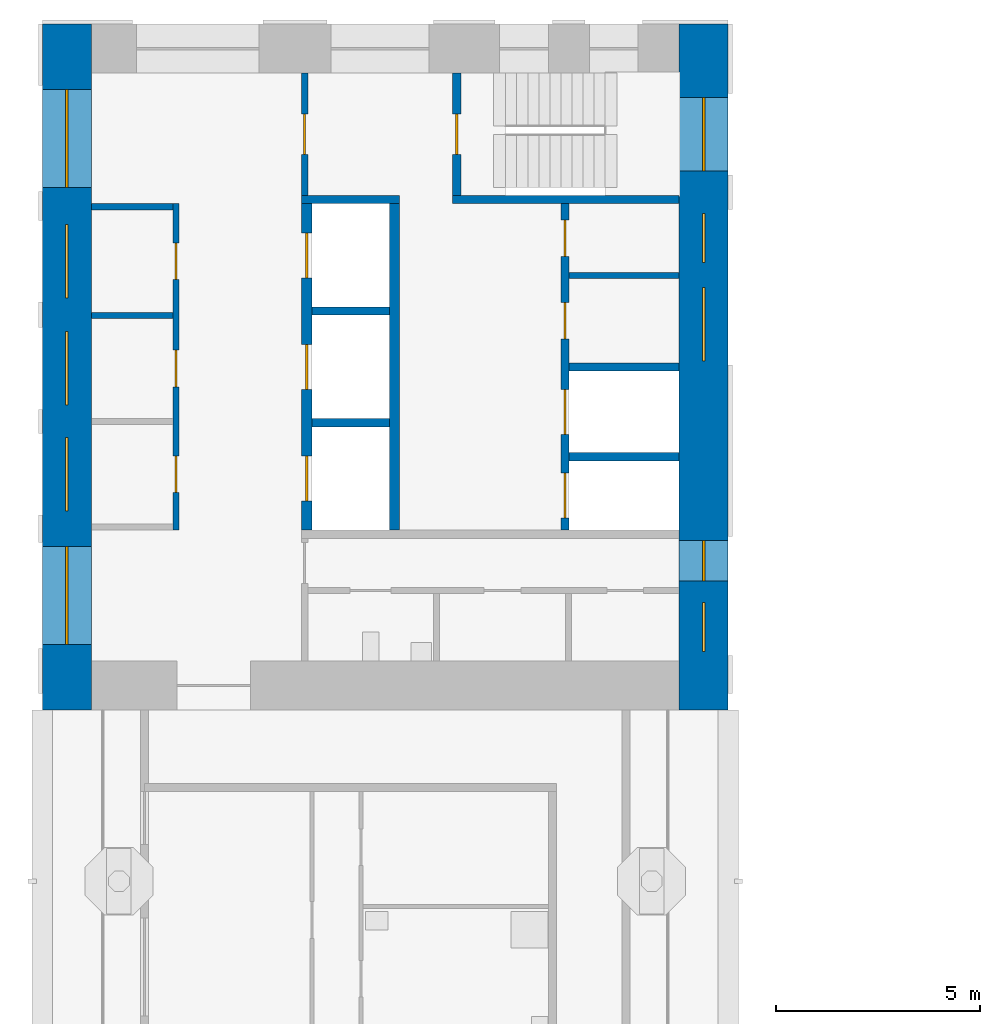
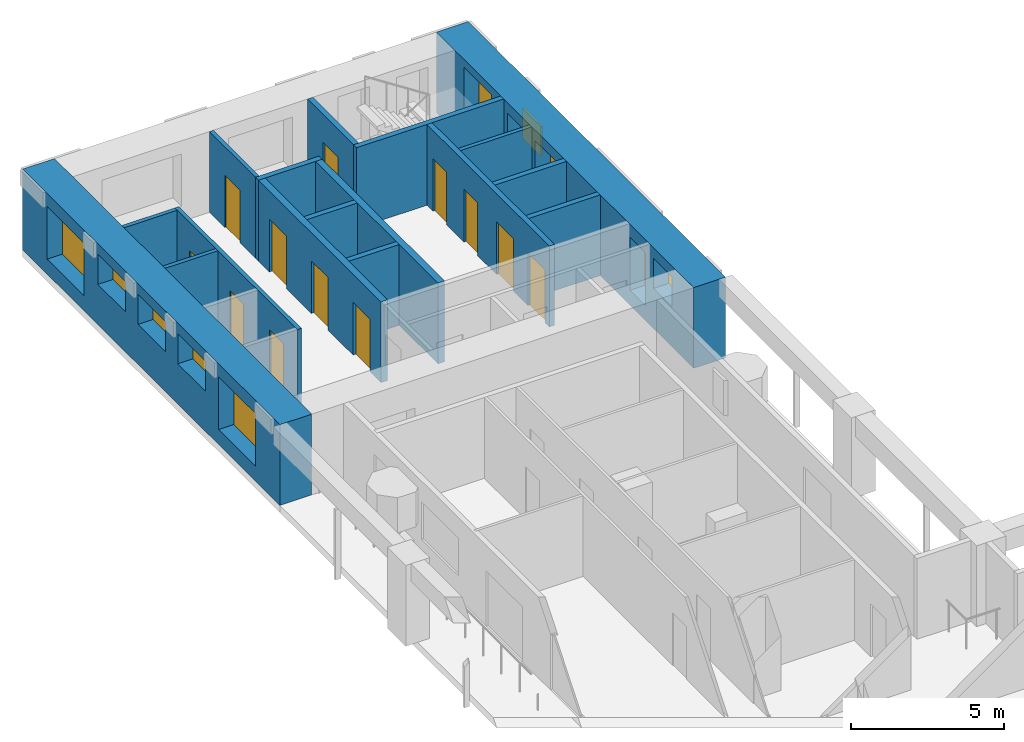
# One storey, part 6 of 13: 17 walls, 12 doors, 10 windows, 22 openings.
"""IFC4 building model written with IfcOpenShell, lengths in metres."""

from ifc_helpers import new_model, si_unit, direction, frame, frame_2d, origin, place, context, subcontext, project, spatial, rectangle, extrude, material, layer, layer_set, type_object, element, fill, save


model = new_model("IFC4")

# Units and contexts
model_context = context("Model", 3, precision=1e-05, world=origin(), true_north=direction((0.0, 1.0)))
body_context = subcontext(model_context, "Body", "Model", "MODEL_VIEW")
ifc_project = project(units=[si_unit("LENGTHUNIT", "METRE"), si_unit("AREAUNIT", "SQUARE_METRE"), si_unit("VOLUMEUNIT", "CUBIC_METRE"), si_unit("PLANEANGLEUNIT", "RADIAN"), si_unit("MASSUNIT", "GRAM", prefix="KILO")], contexts=[model_context])

# Site, building, storey
site_placement = place(None, origin())
site = spatial("IfcSite", under=ifc_project, at=site_placement, CompositionType="ELEMENT")
building_placement = place(site_placement, origin())
building = spatial("IfcBuilding", under=site, at=building_placement, Name="Vermilion Gate Residences", CompositionType="ELEMENT")
storey_placement = place(building_placement, frame((0.0, 0.0, 196.699951171875)))
storey = spatial("IfcBuildingStorey", under=building, at=storey_placement, Name="L51", CompositionType="ELEMENT", Elevation=196.699951171875)

# Walls
ifc_material_1 = material(Name="Masonry blockwork", Category="masonry")
ifc_layer_1 = layer(ifc_material_1, 0.14990234375)
ifc_layer_set_1 = layer_set([ifc_layer_1], Name="BLOCKWORK PARTITION 150 EI 120")
wall_type_1 = type_object("IfcWallType", Name="BLOCKWORK PARTITION 150 EI 120", PredefinedType="PARTITIONING", material=ifc_layer_set_1)
for number, where, z_axis, x_axis, name in (
    (1, (9.60009765625, 54.324951171875, 0.0), (0.0, 0.0, 1.0), (1.0, 0.0, 0.0), "Core room partition B51-RW-W"),
    (2, (9.60009765625, 51.658935546875, 0.0), (0.0, 0.0, 1.0), (1.0, 0.0, 0.0), "Core room partition B51-SR-P0"),
):
    element("IfcWall", number, at=place(storey_placement, frame(where, z_axis=z_axis, x_axis=x_axis)), inside=storey, type_object=wall_type_1, Name=name, PredefinedType="PARTITIONING", context=body_context, shape_type="SweptSolid", body=[
        extrude(rectangle(XDim=2.0, YDim=0.14990234375, at=frame_2d((1.0, 0.0))), origin(), (0.0, 0.0, 1.0), 3.219970703125),
    ])

# Wall, openings, doors
wall_1_placement = place(storey_placement, frame((11.675048828125, 54.39990234375, 0.0), z_axis=(0.0, 0.0, 1.0), x_axis=(0.0, -1.0, 0.0)))
wall_1 = element("IfcWall", 3, at=wall_1_placement, inside=storey, type_object=wall_type_1, Name="Core room partition B51-LR-F", PredefinedType="PARTITIONING", context=body_context, shape_type="SweptSolid", body=[
    extrude(rectangle(XDim=8.0, YDim=0.14990234375, at=frame_2d((4.0, 0.0))), origin(), (0.0, 0.0, 1.0), 3.219970703125),
])
opening_1_placement = place(wall_1_placement, frame((0.9580078125, 0.0, 0.0)))
opening_1 = element("IfcOpeningElement", 4, at=opening_1_placement, cuts=wall_1, Name="Opening DK51102", PredefinedType="OPENING", context=body_context, shape_type="SweptSolid", body=[
    extrude(rectangle(XDim=0.89990234375, YDim=2.10009765625, at=frame_2d((0.449951171875, 1.050048828125))), frame((0.0, 0.0849609375, 0.0), z_axis=(0.0, -1.0, 0.0), x_axis=(1.0, 0.0, 0.0)), (0.0, 0.0, 1.0), 0.169921875),
])
opening_2_placement = place(wall_1_placement, frame((3.5869140625, 0.0, 0.0)))
opening_2 = element("IfcOpeningElement", 5, at=opening_2_placement, cuts=wall_1, Name="Opening DK51103", PredefinedType="OPENING", context=body_context, shape_type="SweptSolid", body=[
    extrude(rectangle(XDim=0.89990234375, YDim=2.10009765625, at=frame_2d((0.449951171875, 1.050048828125))), frame((0.0, 0.0849609375, 0.0), z_axis=(0.0, -1.0, 0.0), x_axis=(1.0, 0.0, 0.0)), (0.0, 0.0, 1.0), 0.169921875),
])
opening_3_placement = place(wall_1_placement, frame((6.178955078125, 0.0, 0.0)))
opening_3 = element("IfcOpeningElement", 6, at=opening_3_placement, cuts=wall_1, Name="Opening DK51104", PredefinedType="OPENING", context=body_context, shape_type="SweptSolid", body=[
    extrude(rectangle(XDim=0.89990234375, YDim=2.10009765625, at=frame_2d((0.449951171875, 1.050048828125))), frame((0.0, 0.0849609375, 0.0), z_axis=(0.0, -1.0, 0.0), x_axis=(1.0, 0.0, 0.0)), (0.0, 0.0, 1.0), 0.169921875),
])
ifc_material_2 = material(Name="Steel", Category="steel")
door_type_1 = type_object("IfcDoorType", Name="SERVICE ROOM DOOR FD60 900 X 2100", OperationType="SINGLE_SWING_LEFT", PredefinedType="DOOR", material=ifc_material_2)
door_1_placement = place(opening_1_placement, origin())
door_1 = element("IfcDoor", 7, at=door_1_placement, inside=storey, type_object=door_type_1, Name="Electrical room B51", OperationType="SINGLE_SWING_LEFT", OverallHeight=2.10009765625, OverallWidth=0.89990234375, PredefinedType="DOOR", context=body_context, shape_type="SweptSolid", body=[
    extrude(rectangle(XDim=0.89990234375, YDim=2.10009765625, at=frame_2d((0.449951171875, 1.050048828125))), frame((0.0, 0.02490234375, 0.0), z_axis=(0.0, -1.0, 0.0), x_axis=(1.0, 0.0, 0.0)), (0.0, 0.0, 1.0), 0.050048828125),
])
fill(opening_1, door_1)
door_2_placement = place(opening_2_placement, frame((0.89990234375, 0.0, 0.0), z_axis=(0.0, 0.0, 1.0), x_axis=(-1.0, 0.0, 0.0)))
door_2 = element("IfcDoor", 8, at=door_2_placement, inside=storey, type_object=door_type_1, Name="Communications room B51", OperationType="SINGLE_SWING_LEFT", OverallHeight=2.10009765625, OverallWidth=0.89990234375, PredefinedType="DOOR", context=body_context, shape_type="SweptSolid", body=[
    extrude(rectangle(XDim=0.89990234375, YDim=2.10009765625, at=frame_2d((0.449951171875, 1.050048828125))), frame((0.0, 0.02490234375, 0.0), z_axis=(0.0, -1.0, 0.0), x_axis=(1.0, 0.0, 0.0)), (0.0, 0.0, 1.0), 0.050048828125),
])
fill(opening_2, door_2)
door_3_placement = place(opening_3_placement, frame((0.89990234375, 0.0, 0.0), z_axis=(0.0, 0.0, 1.0), x_axis=(-1.0, 0.0, 0.0)))
door_3 = element("IfcDoor", 9, at=door_3_placement, inside=storey, type_object=door_type_1, Name="Refuse room B51", OperationType="SINGLE_SWING_LEFT", OverallHeight=2.10009765625, OverallWidth=0.89990234375, PredefinedType="DOOR", context=body_context, shape_type="SweptSolid", body=[
    extrude(rectangle(XDim=0.89990234375, YDim=2.10009765625, at=frame_2d((0.449951171875, 1.050048828125))), frame((0.0, 0.02490234375, 0.0), z_axis=(0.0, -1.0, 0.0), x_axis=(1.0, 0.0, 0.0)), (0.0, 0.0, 1.0), 0.050048828125),
])
fill(opening_3, door_3)

# Wall
wall_2_placement = place(storey_placement, frame((21.300048828125, 52.637451171875, 0.0), z_axis=(0.0, 0.0, 1.0), x_axis=(1.0, 0.0, 0.0)))
element("IfcWall", 10, at=wall_2_placement, inside=storey, type_object=wall_type_1, Name="Core room partition B51-NR-P0", PredefinedType="PARTITIONING", context=body_context, shape_type="SweptSolid", body=[
    extrude(rectangle(XDim=2.699951171875, YDim=0.14990234375, at=frame_2d((1.35009765625, 0.0))), origin(), (0.0, 0.0, 1.0), 3.219970703125),
])

# Wall, opening, door
wall_3_placement = place(storey_placement, frame((14.824951171875, 57.60009765625, 0.0), z_axis=(0.0, 0.0, 1.0), x_axis=(0.0, -1.0, 0.0)))
wall_3 = element("IfcWall", 11, at=wall_3_placement, inside=storey, type_object=wall_type_1, Name="Core room partition B51-VW-S", PredefinedType="PARTITIONING", context=body_context, shape_type="SweptSolid", body=[
    extrude(rectangle(XDim=3.0, YDim=0.14990234375, at=frame_2d((1.5, 0.0))), origin(), (0.0, 0.0, 1.0), 3.219970703125),
])
opening_4_placement = place(wall_3_placement, frame((1.0, 0.0, 0.0)))
opening_4 = element("IfcOpeningElement", 12, at=opening_4_placement, cuts=wall_3, Name="Opening DK51112", PredefinedType="OPENING", context=body_context, shape_type="SweptSolid", body=[
    extrude(rectangle(XDim=1.0, YDim=2.10009765625, at=frame_2d((0.5, 1.050048828125))), frame((0.0, 0.0849609375, 0.0), z_axis=(0.0, -1.0, 0.0), x_axis=(1.0, 0.0, 0.0)), (0.0, 0.0, 1.0), 0.169921875),
])
ifc_material_3 = material(Name="Steel", Category="steel")
door_type_2 = type_object("IfcDoorType", Name="FIRE DOOR FD60 1000 X 2100", OperationType="SINGLE_SWING_LEFT", PredefinedType="DOOR", material=ifc_material_3)
door_4_placement = place(opening_4_placement, frame((1.0, 0.0, 0.0), z_axis=(0.0, 0.0, 1.0), x_axis=(-1.0, 0.0, 0.0)))
door_4 = element("IfcDoor", 13, at=door_4_placement, inside=storey, type_object=door_type_2, Name="Stair vestibule door B51", OperationType="SINGLE_SWING_RIGHT", OverallHeight=2.10009765625, OverallWidth=1.0, PredefinedType="DOOR", context=body_context, shape_type="SweptSolid", body=[
    extrude(rectangle(XDim=1.0, YDim=2.10009765625, at=frame_2d((0.5, 1.050048828125))), frame((0.0, 0.02490234375, 0.0), z_axis=(0.0, -1.0, 0.0), x_axis=(1.0, 0.0, 0.0)), (0.0, 0.0, 1.0), 0.050048828125),
])
fill(opening_4, door_4)

# Walls
ifc_material_4 = material(Name="Concrete C60", Category="concrete")
ifc_layer_2 = layer(ifc_material_4, 0.199951171875)
ifc_layer_set_2 = layer_set([ifc_layer_2], Name="RC CORE INTERNAL WALL 200 C60")
wall_type_2 = type_object("IfcWallType", Name="RC CORE INTERNAL WALL 200 C60", PredefinedType="SHEAR", material=ifc_layer_set_2)
for number, where, z_axis, x_axis, name in (
    (14, (15.0, 51.7666015625, 0.0), (0.0, 0.0, 1.0), (1.0, 0.0, 0.0), "Core internal wall B51-HR-D1"),
    (15, (15.0, 49.033447265625, 0.0), (0.0, 0.0, 1.0), (1.0, 0.0, 0.0), "Core internal wall B51-HR-D2"),
):
    element("IfcWall", number, at=place(storey_placement, frame(where, z_axis=z_axis, x_axis=x_axis)), inside=storey, type_object=wall_type_2, Name=name, PredefinedType="SHEAR", context=body_context, shape_type="SweptSolid", body=[
        extrude(rectangle(XDim=1.89990234375, YDim=0.199951171875, at=frame_2d((0.949951171875, 0.0))), origin(), (0.0, 0.0, 1.0), 3.219970703125),
    ])
for number, where, z_axis, x_axis, name in (
    (16, (21.300048828125, 50.39990234375, 0.0), (0.0, 0.0, 1.0), (1.0, 0.0, 0.0), "Core internal wall B51-FF-D0"),
    (17, (21.300048828125, 48.199951171875, 0.0), (0.0, 0.0, 1.0), (1.0, 0.0, 0.0), "Core internal wall B51-FF-D1"),
):
    element("IfcWall", number, at=place(storey_placement, frame(where, z_axis=z_axis, x_axis=x_axis)), inside=storey, type_object=wall_type_2, Name=name, PredefinedType="SHEAR", context=body_context, shape_type="SweptSolid", body=[
        extrude(rectangle(XDim=2.699951171875, YDim=0.199951171875, at=frame_2d((1.35009765625, 0.0))), origin(), (0.0, 0.0, 1.0), 3.219970703125),
    ])

# Wall, openings, doors
wall_4_placement = place(storey_placement, frame((21.199951171875, 54.39990234375, 0.0), z_axis=(0.0, 0.0, 1.0), x_axis=(0.0, -1.0, 0.0)))
wall_4 = element("IfcWall", 18, at=wall_4_placement, inside=storey, type_object=wall_type_2, Name="Core internal wall B51-FF-F", PredefinedType="SHEAR", context=body_context, shape_type="SweptSolid", body=[
    extrude(rectangle(XDim=8.0, YDim=0.199951171875, at=frame_2d((4.0, 0.0))), origin(), (0.0, 0.0, 1.0), 3.219970703125),
])
opening_5_placement = place(wall_4_placement, frame((0.393798828125, 0.0, 0.0)))
opening_5 = element("IfcOpeningElement", 19, at=opening_5_placement, cuts=wall_4, Name="Opening DK51108", PredefinedType="OPENING", context=body_context, shape_type="SweptSolid", body=[
    extrude(rectangle(XDim=0.89990234375, YDim=2.10009765625, at=frame_2d((0.449951171875, 1.050048828125))), frame((0.0, 0.10986328125, 0.0), z_axis=(0.0, -1.0, 0.0), x_axis=(1.0, 0.0, 0.0)), (0.0, 0.0, 1.0), 0.219970703125),
])
opening_6_placement = place(wall_4_placement, frame((2.418701171875, 0.0, 0.0)))
opening_6 = element("IfcOpeningElement", 20, at=opening_6_placement, cuts=wall_4, Name="Opening DK51109", PredefinedType="OPENING", context=body_context, shape_type="SweptSolid", body=[
    extrude(rectangle(XDim=0.89990234375, YDim=2.10009765625, at=frame_2d((0.449951171875, 1.050048828125))), frame((0.0, 0.10986328125, 0.0), z_axis=(0.0, -1.0, 0.0), x_axis=(1.0, 0.0, 0.0)), (0.0, 0.0, 1.0), 0.219970703125),
])
opening_7_placement = place(wall_4_placement, frame((4.550048828125, 0.0, 0.0)))
opening_7 = element("IfcOpeningElement", 21, at=opening_7_placement, cuts=wall_4, Name="Opening LD", PredefinedType="OPENING", context=body_context, shape_type="SweptSolid", body=[
    extrude(rectangle(XDim=1.10009765625, YDim=2.10009765625, at=frame_2d((0.550048828125, 1.050048828125))), frame((0.0, 0.10986328125, 0.0), z_axis=(0.0, -1.0, 0.0), x_axis=(1.0, 0.0, 0.0)), (0.0, 0.0, 1.0), 0.219970703125),
])
opening_8_placement = place(wall_4_placement, frame((6.60009765625, 0.0, 0.0)))
opening_8 = element("IfcOpeningElement", 22, at=opening_8_placement, cuts=wall_4, Name="Opening LD", PredefinedType="OPENING", context=body_context, shape_type="SweptSolid", body=[
    extrude(rectangle(XDim=1.10009765625, YDim=2.10009765625, at=frame_2d((0.550048828125, 1.050048828125))), frame((0.0, 0.10986328125, 0.0), z_axis=(0.0, -1.0, 0.0), x_axis=(1.0, 0.0, 0.0)), (0.0, 0.0, 1.0), 0.219970703125),
])
ifc_material_5 = material(Name="Stainless steel", Category="steel")
door_type_3 = type_object("IfcDoorType", Name="LIFT LANDING DOOR E60 1100 X 2100", OperationType="DOUBLE_DOOR_SLIDING", PredefinedType="DOOR", material=ifc_material_5)
door_5_placement = place(opening_7_placement, origin())
door_5 = element("IfcDoor", 23, at=door_5_placement, inside=storey, type_object=door_type_3, Name="Lift landing door LFB1", OperationType="DOUBLE_DOOR_SLIDING", OverallHeight=2.10009765625, OverallWidth=1.10009765625, PredefinedType="DOOR", context=body_context, shape_type="SweptSolid", body=[
    extrude(rectangle(XDim=1.10009765625, YDim=2.10009765625, at=frame_2d((0.550048828125, 1.050048828125))), frame((0.0, 0.02490234375, 0.0), z_axis=(0.0, -1.0, 0.0), x_axis=(1.0, 0.0, 0.0)), (0.0, 0.0, 1.0), 0.050048828125),
])
fill(opening_7, door_5)
door_6_placement = place(opening_8_placement, origin())
door_6 = element("IfcDoor", 24, at=door_6_placement, inside=storey, type_object=door_type_3, Name="Lift landing door LCB1", OperationType="DOUBLE_DOOR_SLIDING", OverallHeight=2.10009765625, OverallWidth=1.10009765625, PredefinedType="DOOR", context=body_context, shape_type="SweptSolid", body=[
    extrude(rectangle(XDim=1.10009765625, YDim=2.10009765625, at=frame_2d((0.550048828125, 1.050048828125))), frame((0.0, 0.02490234375, 0.0), z_axis=(0.0, -1.0, 0.0), x_axis=(1.0, 0.0, 0.0)), (0.0, 0.0, 1.0), 0.050048828125),
])
fill(opening_8, door_6)
door_7_placement = place(opening_5_placement, origin())
door_7 = element("IfcDoor", 25, at=door_7_placement, inside=storey, type_object=door_type_1, Name="Electrical riser B51", OperationType="SINGLE_SWING_RIGHT", OverallHeight=2.10009765625, OverallWidth=0.89990234375, PredefinedType="DOOR", context=body_context, shape_type="SweptSolid", body=[
    extrude(rectangle(XDim=0.89990234375, YDim=2.10009765625, at=frame_2d((0.449951171875, 1.050048828125))), frame((0.0, 0.02490234375, 0.0), z_axis=(0.0, -1.0, 0.0), x_axis=(1.0, 0.0, 0.0)), (0.0, 0.0, 1.0), 0.050048828125),
])
fill(opening_5, door_7)
door_8_placement = place(opening_6_placement, origin())
door_8 = element("IfcDoor", 26, at=door_8_placement, inside=storey, type_object=door_type_1, Name="Cleaner's store B51", OperationType="SINGLE_SWING_RIGHT", OverallHeight=2.10009765625, OverallWidth=0.89990234375, PredefinedType="DOOR", context=body_context, shape_type="SweptSolid", body=[
    extrude(rectangle(XDim=0.89990234375, YDim=2.10009765625, at=frame_2d((0.449951171875, 1.050048828125))), frame((0.0, 0.02490234375, 0.0), z_axis=(0.0, -1.0, 0.0), x_axis=(1.0, 0.0, 0.0)), (0.0, 0.0, 1.0), 0.050048828125),
])
fill(opening_6, door_8)

# Walls
wall_5_placement = place(storey_placement, frame((14.75, 54.5, 0.0), z_axis=(0.0, 0.0, 1.0), x_axis=(1.0, 0.0, 0.0)))
element("IfcWall", 27, at=wall_5_placement, inside=storey, type_object=wall_type_2, Name="Core internal wall B51-WDIV1", PredefinedType="SHEAR", context=body_context, shape_type="SweptSolid", body=[
    extrude(rectangle(XDim=2.39990234375, YDim=0.199951171875, at=frame_2d((1.199951171875, 0.0))), origin(), (0.0, 0.0, 1.0), 3.219970703125),
])
wall_6_placement = place(storey_placement, frame((18.449951171875, 54.5, 0.0), z_axis=(0.0, 0.0, 1.0), x_axis=(1.0, 0.0, 0.0)))
element("IfcWall", 28, at=wall_6_placement, inside=storey, type_object=wall_type_2, Name="Core internal wall B51-WDIV2", PredefinedType="SHEAR", context=body_context, shape_type="SweptSolid", body=[
    extrude(rectangle(XDim=5.550048828125, YDim=0.199951171875, at=frame_2d((2.77490234375, 0.0))), origin(), (0.0, 0.0, 1.0), 3.219970703125),
])

# Wall, opening, door
wall_7_placement = place(storey_placement, frame((18.550048828125, 57.60009765625, 0.0), z_axis=(0.0, 0.0, 1.0), x_axis=(0.0, -1.0, 0.0)))
wall_7 = element("IfcWall", 29, at=wall_7_placement, inside=storey, type_object=wall_type_2, Name="Core internal wall B51-STW-S", PredefinedType="SHEAR", context=body_context, shape_type="SweptSolid", body=[
    extrude(rectangle(XDim=3.0, YDim=0.199951171875, at=frame_2d((1.5, 0.0))), origin(), (0.0, 0.0, 1.0), 3.219970703125),
])
opening_9_placement = place(wall_7_placement, frame((1.0, 0.0, 0.0)))
opening_9 = element("IfcOpeningElement", 30, at=opening_9_placement, cuts=wall_7, Name="Opening DK51113", PredefinedType="OPENING", context=body_context, shape_type="SweptSolid", body=[
    extrude(rectangle(XDim=1.0, YDim=2.10009765625, at=frame_2d((0.5, 1.050048828125))), frame((0.0, 0.10986328125, 0.0), z_axis=(0.0, -1.0, 0.0), x_axis=(1.0, 0.0, 0.0)), (0.0, 0.0, 1.0), 0.219970703125),
])
door_9_placement = place(opening_9_placement, origin())
door_9 = element("IfcDoor", 31, at=door_9_placement, inside=storey, type_object=door_type_2, Name="Stair door B51", OperationType="SINGLE_SWING_LEFT", OverallHeight=2.10009765625, OverallWidth=1.0, PredefinedType="DOOR", context=body_context, shape_type="SweptSolid", body=[
    extrude(rectangle(XDim=1.0, YDim=2.10009765625, at=frame_2d((0.5, 1.050048828125))), frame((0.0, 0.02490234375, 0.0), z_axis=(0.0, -1.0, 0.0), x_axis=(1.0, 0.0, 0.0)), (0.0, 0.0, 1.0), 0.050048828125),
])
fill(opening_9, door_9)

# Wall, openings, windows
ifc_material_6 = material(Name="Concrete C60 red-oxide pigmented", Category="concrete")
ifc_layer_3 = layer(ifc_material_6, 1.199951171875)
ifc_layer_set_3 = layer_set([ifc_layer_3], Name="RC CORE WALL 1200 C60 RED OXIDE")
wall_type_3 = type_object("IfcWallType", Name="RC CORE WALL 1200 C60 RED OXIDE", PredefinedType="SHEAR", material=ifc_layer_set_3)
wall_8_placement = place(storey_placement, frame((9.0, 58.800048828125, 0.0), z_axis=(0.0, 0.0, 1.0), x_axis=(0.0, -1.0, 0.0)))
wall_8 = element("IfcWall", 32, at=wall_8_placement, inside=storey, type_object=wall_type_3, Name="Core wall B51-OUT-B0", PredefinedType="SHEAR", context=body_context, shape_type="SweptSolid", body=[
    extrude(rectangle(XDim=16.800048828125, YDim=1.199951171875, at=frame_2d((8.39990234375, 0.0))), origin(), (0.0, 0.0, 1.0), 3.219970703125),
])
opening_10_placement = place(wall_8_placement, frame((1.60009765625, 0.0, 0.60009765625)))
opening_10 = element("IfcOpeningElement", 33, at=opening_10_placement, cuts=wall_8, Name="Opening WKB5101", PredefinedType="OPENING", context=body_context, shape_type="SweptSolid", body=[
    extrude(rectangle(XDim=2.39990234375, YDim=2.10009765625, at=frame_2d((1.199951171875, 1.050048828125))), frame((0.0, 0.60986328125, 0.0), z_axis=(0.0, -1.0, 0.0), x_axis=(1.0, 0.0, 0.0)), (0.0, 0.0, 1.0), 1.219970703125),
])
opening_11_placement = place(wall_8_placement, frame((4.907958984375, 0.0, 1.60009765625)))
opening_11 = element("IfcOpeningElement", 34, at=opening_11_placement, cuts=wall_8, Name="Opening WKB5102", PredefinedType="OPENING", context=body_context, shape_type="SweptSolid", body=[
    extrude(rectangle(XDim=1.800048828125, YDim=1.199951171875, at=frame_2d((0.89990234375, 0.60009765625))), frame((0.0, 0.60986328125, 0.0), z_axis=(0.0, -1.0, 0.0), x_axis=(1.0, 0.0, 0.0)), (0.0, 0.0, 1.0), 1.219970703125),
])
opening_12_placement = place(wall_8_placement, frame((7.537109375, 0.0, 1.60009765625)))
opening_12 = element("IfcOpeningElement", 35, at=opening_12_placement, cuts=wall_8, Name="Opening WKB5103", PredefinedType="OPENING", context=body_context, shape_type="SweptSolid", body=[
    extrude(rectangle(XDim=1.800048828125, YDim=1.199951171875, at=frame_2d((0.89990234375, 0.60009765625))), frame((0.0, 0.60986328125, 0.0), z_axis=(0.0, -1.0, 0.0), x_axis=(1.0, 0.0, 0.0)), (0.0, 0.0, 1.0), 1.219970703125),
])
opening_13_placement = place(wall_8_placement, frame((10.12890625, 0.0, 1.60009765625)))
opening_13 = element("IfcOpeningElement", 36, at=opening_13_placement, cuts=wall_8, Name="Opening WKB5104", PredefinedType="OPENING", context=body_context, shape_type="SweptSolid", body=[
    extrude(rectangle(XDim=1.800048828125, YDim=1.199951171875, at=frame_2d((0.89990234375, 0.60009765625))), frame((0.0, 0.60986328125, 0.0), z_axis=(0.0, -1.0, 0.0), x_axis=(1.0, 0.0, 0.0)), (0.0, 0.0, 1.0), 1.219970703125),
])
opening_14_placement = place(wall_8_placement, frame((12.800048828125, 0.0, 0.60009765625)))
opening_14 = element("IfcOpeningElement", 37, at=opening_14_placement, cuts=wall_8, Name="Opening WKB5105", PredefinedType="OPENING", context=body_context, shape_type="SweptSolid", body=[
    extrude(rectangle(XDim=2.39990234375, YDim=2.10009765625, at=frame_2d((1.199951171875, 1.050048828125))), frame((0.0, 0.60986328125, 0.0), z_axis=(0.0, -1.0, 0.0), x_axis=(1.0, 0.0, 0.0)), (0.0, 0.0, 1.0), 1.219970703125),
])
ifc_material_7 = material(Name="Aluminium and clear glass", Category="aluminium")
window_type_1 = type_object("IfcWindowType", Name="CORE LOBBY WINDOW 2400 X 2100", PartitioningType="SINGLE_PANEL", PredefinedType="WINDOW", material=ifc_material_7)
window_1_placement = place(opening_10_placement, origin())
window_1 = element("IfcWindow", 38, at=window_1_placement, inside=storey, type_object=window_type_1, Name="Core lobby window", OverallHeight=2.10009765625, OverallWidth=2.39990234375, PartitioningType="SINGLE_PANEL", PredefinedType="WINDOW", context=body_context, shape_type="SweptSolid", body=[
    extrude(rectangle(XDim=2.39990234375, YDim=2.10009765625, at=frame_2d((1.199951171875, 1.050048828125))), frame((0.0, 0.030029296875, 0.0), z_axis=(0.0, -1.0, 0.0), x_axis=(1.0, 0.0, 0.0)), (0.0, 0.0, 1.0), 0.06005859375),
])
fill(opening_10, window_1)
window_2_placement = place(opening_14_placement, origin())
window_2 = element("IfcWindow", 39, at=window_2_placement, inside=storey, type_object=window_type_1, Name="Core lobby window", OverallHeight=2.10009765625, OverallWidth=2.39990234375, PartitioningType="SINGLE_PANEL", PredefinedType="WINDOW", context=body_context, shape_type="SweptSolid", body=[
    extrude(rectangle(XDim=2.39990234375, YDim=2.10009765625, at=frame_2d((1.199951171875, 1.050048828125))), frame((0.0, 0.030029296875, 0.0), z_axis=(0.0, -1.0, 0.0), x_axis=(1.0, 0.0, 0.0)), (0.0, 0.0, 1.0), 0.06005859375),
])
fill(opening_14, window_2)
ifc_material_8 = material(Name="Aluminium frame with louvre blades", Category="aluminium")
window_type_2 = type_object("IfcWindowType", Name="CORE LOUVRE 1800 X 1200", PartitioningType="SINGLE_PANEL", PredefinedType="WINDOW", material=ifc_material_8)
window_3_placement = place(opening_11_placement, origin())
window_3 = element("IfcWindow", 40, at=window_3_placement, inside=storey, type_object=window_type_2, Name="Core louvre", OverallHeight=1.199951171875, OverallWidth=1.800048828125, PartitioningType="SINGLE_PANEL", PredefinedType="WINDOW", context=body_context, shape_type="SweptSolid", body=[
    extrude(rectangle(XDim=1.800048828125, YDim=1.199951171875, at=frame_2d((0.89990234375, 0.60009765625))), frame((0.0, 0.030029296875, 0.0), z_axis=(0.0, -1.0, 0.0), x_axis=(1.0, 0.0, 0.0)), (0.0, 0.0, 1.0), 0.06005859375),
])
fill(opening_11, window_3)
window_4_placement = place(opening_12_placement, origin())
window_4 = element("IfcWindow", 41, at=window_4_placement, inside=storey, type_object=window_type_2, Name="Core louvre", OverallHeight=1.199951171875, OverallWidth=1.800048828125, PartitioningType="SINGLE_PANEL", PredefinedType="WINDOW", context=body_context, shape_type="SweptSolid", body=[
    extrude(rectangle(XDim=1.800048828125, YDim=1.199951171875, at=frame_2d((0.89990234375, 0.60009765625))), frame((0.0, 0.030029296875, 0.0), z_axis=(0.0, -1.0, 0.0), x_axis=(1.0, 0.0, 0.0)), (0.0, 0.0, 1.0), 0.06005859375),
])
fill(opening_12, window_4)
window_5_placement = place(opening_13_placement, origin())
window_5 = element("IfcWindow", 42, at=window_5_placement, inside=storey, type_object=window_type_2, Name="Core louvre", OverallHeight=1.199951171875, OverallWidth=1.800048828125, PartitioningType="SINGLE_PANEL", PredefinedType="WINDOW", context=body_context, shape_type="SweptSolid", body=[
    extrude(rectangle(XDim=1.800048828125, YDim=1.199951171875, at=frame_2d((0.89990234375, 0.60009765625))), frame((0.0, 0.030029296875, 0.0), z_axis=(0.0, -1.0, 0.0), x_axis=(1.0, 0.0, 0.0)), (0.0, 0.0, 1.0), 0.06005859375),
])
fill(opening_13, window_5)

wall_9_placement = place(storey_placement, frame((24.60009765625, 58.800048828125, 0.0), z_axis=(0.0, 0.0, 1.0), x_axis=(0.0, -1.0, 0.0)))
wall_9 = element("IfcWall", 43, at=wall_9_placement, inside=storey, type_object=wall_type_3, Name="Core wall B51-OUT-B1", PredefinedType="SHEAR", context=body_context, shape_type="SweptSolid", body=[
    extrude(rectangle(XDim=16.800048828125, YDim=1.199951171875, at=frame_2d((8.39990234375, 0.0))), origin(), (0.0, 0.0, 1.0), 3.219970703125),
])
opening_15_placement = place(wall_9_placement, frame((1.800048828125, 0.0, 0.5)))
opening_15 = element("IfcOpeningElement", 44, at=opening_15_placement, cuts=wall_9, Name="Opening WKB5106", PredefinedType="OPENING", context=body_context, shape_type="SweptSolid", body=[
    extrude(rectangle(XDim=1.800048828125, YDim=2.39990234375, at=frame_2d((0.89990234375, 1.199951171875))), frame((0.0, 0.60986328125, 0.0), z_axis=(0.0, -1.0, 0.0), x_axis=(1.0, 0.0, 0.0)), (0.0, 0.0, 1.0), 1.219970703125),
])
opening_16_placement = place(wall_9_placement, frame((4.643798828125, 0.0, 1.60009765625)))
opening_16 = element("IfcOpeningElement", 45, at=opening_16_placement, cuts=wall_9, Name="Opening WKB5107", PredefinedType="OPENING", context=body_context, shape_type="SweptSolid", body=[
    extrude(rectangle(XDim=1.199951171875, YDim=1.199951171875, at=frame_2d((0.60009765625, 0.60009765625))), frame((0.0, 0.60986328125, 0.0), z_axis=(0.0, -1.0, 0.0), x_axis=(1.0, 0.0, 0.0)), (0.0, 0.0, 1.0), 1.219970703125),
])
opening_17_placement = place(wall_9_placement, frame((6.449951171875, 0.0, 1.60009765625)))
opening_17 = element("IfcOpeningElement", 46, at=opening_17_placement, cuts=wall_9, Name="Opening WKB5108", PredefinedType="OPENING", context=body_context, shape_type="SweptSolid", body=[
    extrude(rectangle(XDim=1.800048828125, YDim=1.199951171875, at=frame_2d((0.89990234375, 0.60009765625))), frame((0.0, 0.60986328125, 0.0), z_axis=(0.0, -1.0, 0.0), x_axis=(1.0, 0.0, 0.0)), (0.0, 0.0, 1.0), 1.219970703125),
])
opening_18_placement = place(wall_9_placement, frame((12.64990234375, 0.0, 0.60009765625)))
opening_18 = element("IfcOpeningElement", 47, at=opening_18_placement, cuts=wall_9, Name="Opening WKB5109", PredefinedType="OPENING", context=body_context, shape_type="SweptSolid", body=[
    extrude(rectangle(XDim=1.0, YDim=2.10009765625, at=frame_2d((0.5, 1.050048828125))), frame((0.0, 0.60986328125, 0.0), z_axis=(0.0, -1.0, 0.0), x_axis=(1.0, 0.0, 0.0)), (0.0, 0.0, 1.0), 1.219970703125),
])
opening_19_placement = place(wall_9_placement, frame((14.175048828125, 0.0, 1.60009765625)))
opening_19 = element("IfcOpeningElement", 48, at=opening_19_placement, cuts=wall_9, Name="Opening WKB5110", PredefinedType="OPENING", context=body_context, shape_type="SweptSolid", body=[
    extrude(rectangle(XDim=1.199951171875, YDim=1.199951171875, at=frame_2d((0.60009765625, 0.60009765625))), frame((0.0, 0.60986328125, 0.0), z_axis=(0.0, -1.0, 0.0), x_axis=(1.0, 0.0, 0.0)), (0.0, 0.0, 1.0), 1.219970703125),
])
ifc_material_9 = material(Name="Aluminium and clear glass", Category="aluminium")
window_type_3 = type_object("IfcWindowType", Name="CORE CORRIDOR WINDOW 1000 X 2100", PartitioningType="SINGLE_PANEL", PredefinedType="WINDOW", material=ifc_material_9)
window_6_placement = place(opening_18_placement, origin())
window_6 = element("IfcWindow", 49, at=window_6_placement, inside=storey, type_object=window_type_3, Name="Core corridor window", OverallHeight=2.10009765625, OverallWidth=1.0, PartitioningType="SINGLE_PANEL", PredefinedType="WINDOW", context=body_context, shape_type="SweptSolid", body=[
    extrude(rectangle(XDim=1.0, YDim=2.10009765625, at=frame_2d((0.5, 1.050048828125))), frame((0.0, 0.030029296875, 0.0), z_axis=(0.0, -1.0, 0.0), x_axis=(1.0, 0.0, 0.0)), (0.0, 0.0, 1.0), 0.06005859375),
])
fill(opening_18, window_6)
ifc_material_10 = material(Name="Aluminium frame with louvre blades", Category="aluminium")
window_type_4 = type_object("IfcWindowType", Name="CORE LOUVRE 1200 X 1200", PartitioningType="SINGLE_PANEL", PredefinedType="WINDOW", material=ifc_material_10)
window_7_placement = place(opening_16_placement, origin())
window_7 = element("IfcWindow", 50, at=window_7_placement, inside=storey, type_object=window_type_4, Name="Core louvre", OverallHeight=1.199951171875, OverallWidth=1.199951171875, PartitioningType="SINGLE_PANEL", PredefinedType="WINDOW", context=body_context, shape_type="SweptSolid", body=[
    extrude(rectangle(XDim=1.199951171875, YDim=1.199951171875, at=frame_2d((0.60009765625, 0.60009765625))), frame((0.0, 0.030029296875, 0.0), z_axis=(0.0, -1.0, 0.0), x_axis=(1.0, 0.0, 0.0)), (0.0, 0.0, 1.0), 0.06005859375),
])
fill(opening_16, window_7)
window_8_placement = place(opening_19_placement, origin())
window_8 = element("IfcWindow", 51, at=window_8_placement, inside=storey, type_object=window_type_4, Name="Core louvre", OverallHeight=1.199951171875, OverallWidth=1.199951171875, PartitioningType="SINGLE_PANEL", PredefinedType="WINDOW", context=body_context, shape_type="SweptSolid", body=[
    extrude(rectangle(XDim=1.199951171875, YDim=1.199951171875, at=frame_2d((0.60009765625, 0.60009765625))), frame((0.0, 0.030029296875, 0.0), z_axis=(0.0, -1.0, 0.0), x_axis=(1.0, 0.0, 0.0)), (0.0, 0.0, 1.0), 0.06005859375),
])
fill(opening_19, window_8)
window_9_placement = place(opening_17_placement, origin())
window_9 = element("IfcWindow", 52, at=window_9_placement, inside=storey, type_object=window_type_2, Name="Core louvre", OverallHeight=1.199951171875, OverallWidth=1.800048828125, PartitioningType="SINGLE_PANEL", PredefinedType="WINDOW", context=body_context, shape_type="SweptSolid", body=[
    extrude(rectangle(XDim=1.800048828125, YDim=1.199951171875, at=frame_2d((0.89990234375, 0.60009765625))), frame((0.0, 0.030029296875, 0.0), z_axis=(0.0, -1.0, 0.0), x_axis=(1.0, 0.0, 0.0)), (0.0, 0.0, 1.0), 0.06005859375),
])
fill(opening_17, window_9)
ifc_material_11 = material(Name="Aluminium and clear glass", Category="aluminium")
window_type_5 = type_object("IfcWindowType", Name="CORE STAIR WINDOW 1800 X 2400", PartitioningType="SINGLE_PANEL", PredefinedType="WINDOW", material=ifc_material_11)
window_10_placement = place(opening_15_placement, origin())
window_10 = element("IfcWindow", 53, at=window_10_placement, inside=storey, type_object=window_type_5, Name="Core stair window", OverallHeight=2.39990234375, OverallWidth=1.800048828125, PartitioningType="SINGLE_PANEL", PredefinedType="WINDOW", context=body_context, shape_type="SweptSolid", body=[
    extrude(rectangle(XDim=1.800048828125, YDim=2.39990234375, at=frame_2d((0.89990234375, 1.199951171875))), frame((0.0, 0.030029296875, 0.0), z_axis=(0.0, -1.0, 0.0), x_axis=(1.0, 0.0, 0.0)), (0.0, 0.0, 1.0), 0.06005859375),
])
fill(opening_15, window_10)

# Wall, openings, doors
ifc_material_12 = material(Name="Concrete C60", Category="concrete")
ifc_layer_4 = layer(ifc_material_12, 0.25)
ifc_layer_set_4 = layer_set([ifc_layer_4], Name="RC LIFT SHAFT WALL 250 C60")
wall_type_4 = type_object("IfcWallType", Name="RC LIFT SHAFT WALL 250 C60", PredefinedType="SHEAR", material=ifc_layer_set_4)
wall_10_placement = place(storey_placement, frame((14.875, 54.39990234375, 0.0), z_axis=(0.0, 0.0, 1.0), x_axis=(0.0, -1.0, 0.0)))
wall_10 = element("IfcWall", 54, at=wall_10_placement, inside=storey, type_object=wall_type_4, Name="Lift shaft wall B51-HR-F", PredefinedType="SHEAR", context=body_context, shape_type="SweptSolid", body=[
    extrude(rectangle(XDim=8.0, YDim=0.25, at=frame_2d((4.0, 0.0))), origin(), (0.0, 0.0, 1.0), 3.219970703125),
])
opening_20_placement = place(wall_10_placement, frame((0.716552734375, 0.0, 0.0)))
opening_20 = element("IfcOpeningElement", 55, at=opening_20_placement, cuts=wall_10, Name="Opening LD", PredefinedType="OPENING", context=body_context, shape_type="SweptSolid", body=[
    extrude(rectangle(XDim=1.10009765625, YDim=2.10009765625, at=frame_2d((0.550048828125, 1.050048828125))), frame((0.0, 0.135009765625, 0.0), z_axis=(0.0, -1.0, 0.0), x_axis=(1.0, 0.0, 0.0)), (0.0, 0.0, 1.0), 0.27001953125),
])
opening_21_placement = place(wall_10_placement, frame((3.449951171875, 0.0, 0.0)))
opening_21 = element("IfcOpeningElement", 56, at=opening_21_placement, cuts=wall_10, Name="Opening LD", PredefinedType="OPENING", context=body_context, shape_type="SweptSolid", body=[
    extrude(rectangle(XDim=1.10009765625, YDim=2.10009765625, at=frame_2d((0.550048828125, 1.050048828125))), frame((0.0, 0.135009765625, 0.0), z_axis=(0.0, -1.0, 0.0), x_axis=(1.0, 0.0, 0.0)), (0.0, 0.0, 1.0), 0.27001953125),
])
opening_22_placement = place(wall_10_placement, frame((6.183349609375, 0.0, 0.0)))
opening_22 = element("IfcOpeningElement", 57, at=opening_22_placement, cuts=wall_10, Name="Opening LD", PredefinedType="OPENING", context=body_context, shape_type="SweptSolid", body=[
    extrude(rectangle(XDim=1.10009765625, YDim=2.10009765625, at=frame_2d((0.550048828125, 1.050048828125))), frame((0.0, 0.135009765625, 0.0), z_axis=(0.0, -1.0, 0.0), x_axis=(1.0, 0.0, 0.0)), (0.0, 0.0, 1.0), 0.27001953125),
])
door_10_placement = place(opening_20_placement, origin())
door_10 = element("IfcDoor", 58, at=door_10_placement, inside=storey, type_object=door_type_3, Name="Lift landing door HRB1", OperationType="DOUBLE_DOOR_SLIDING", OverallHeight=2.10009765625, OverallWidth=1.10009765625, PredefinedType="DOOR", context=body_context, shape_type="SweptSolid", body=[
    extrude(rectangle(XDim=1.10009765625, YDim=2.10009765625, at=frame_2d((0.550048828125, 1.050048828125))), frame((0.0, 0.02490234375, 0.0), z_axis=(0.0, -1.0, 0.0), x_axis=(1.0, 0.0, 0.0)), (0.0, 0.0, 1.0), 0.050048828125),
])
fill(opening_20, door_10)
door_11_placement = place(opening_21_placement, origin())
door_11 = element("IfcDoor", 59, at=door_11_placement, inside=storey, type_object=door_type_3, Name="Lift landing door HRB2", OperationType="DOUBLE_DOOR_SLIDING", OverallHeight=2.10009765625, OverallWidth=1.10009765625, PredefinedType="DOOR", context=body_context, shape_type="SweptSolid", body=[
    extrude(rectangle(XDim=1.10009765625, YDim=2.10009765625, at=frame_2d((0.550048828125, 1.050048828125))), frame((0.0, 0.02490234375, 0.0), z_axis=(0.0, -1.0, 0.0), x_axis=(1.0, 0.0, 0.0)), (0.0, 0.0, 1.0), 0.050048828125),
])
fill(opening_21, door_11)
door_12_placement = place(opening_22_placement, origin())
door_12 = element("IfcDoor", 60, at=door_12_placement, inside=storey, type_object=door_type_3, Name="Lift landing door HRB3", OperationType="DOUBLE_DOOR_SLIDING", OverallHeight=2.10009765625, OverallWidth=1.10009765625, PredefinedType="DOOR", context=body_context, shape_type="SweptSolid", body=[
    extrude(rectangle(XDim=1.10009765625, YDim=2.10009765625, at=frame_2d((0.550048828125, 1.050048828125))), frame((0.0, 0.02490234375, 0.0), z_axis=(0.0, -1.0, 0.0), x_axis=(1.0, 0.0, 0.0)), (0.0, 0.0, 1.0), 0.050048828125),
])
fill(opening_22, door_12)

# Wall
wall_11_placement = place(storey_placement, frame((17.02490234375, 54.39990234375, 0.0), z_axis=(0.0, 0.0, 1.0), x_axis=(0.0, -1.0, 0.0)))
element("IfcWall", 61, at=wall_11_placement, inside=storey, type_object=wall_type_4, Name="Lift shaft wall B51-HR-B", PredefinedType="SHEAR", context=body_context, shape_type="SweptSolid", body=[
    extrude(rectangle(XDim=8.0, YDim=0.25, at=frame_2d((4.0, 0.0))), origin(), (0.0, 0.0, 1.0), 3.219970703125),
])

save(model, "model.ifc")
